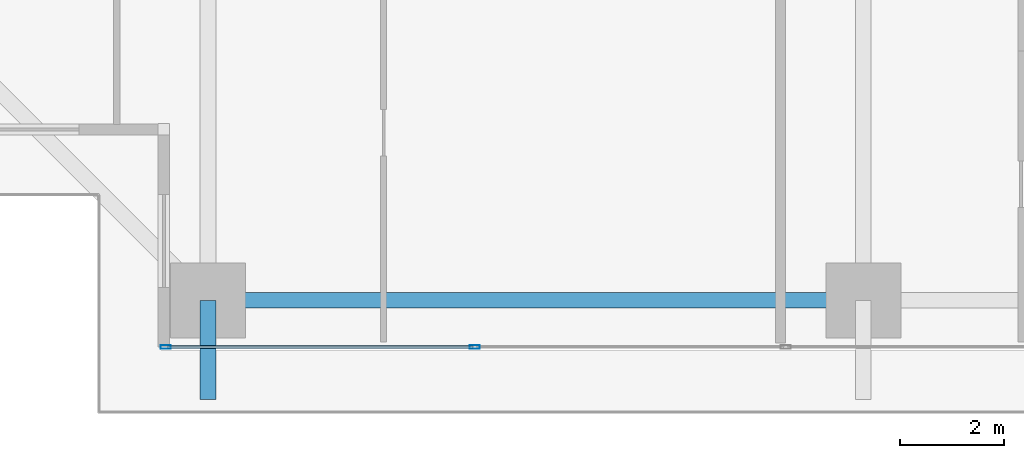
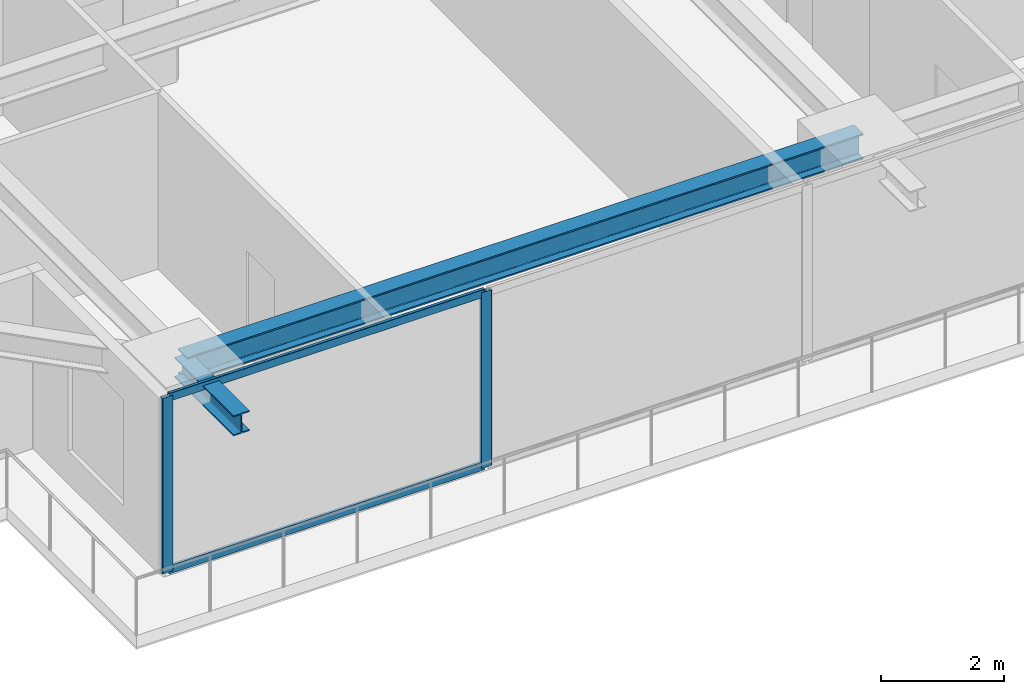
# One storey, part 2 of 38: 4 members, 2 beams, 1 element without a shape of its own.
"""IFC4 building model written with IfcOpenShell, lengths in metres."""

from ifc_helpers import new_model, si_unit, direction, frame, origin, origin_2d, place, context, subcontext, project, spatial, hollow_rectangle, i_section, extrude, source, transform, mapped, material, layer, layer_set, material_profile, profile_set, type_object, element, aggregate, save


model = new_model("IFC4")

# Units and contexts
model_context = context("Model", 3, precision=1e-05, world=origin(), true_north=direction((0.0, 1.0)))
body_context = subcontext(model_context, "Body", "Model", "MODEL_VIEW")
ifc_project = project(units=[si_unit("LENGTHUNIT", "METRE"), si_unit("AREAUNIT", "SQUARE_METRE"), si_unit("VOLUMEUNIT", "CUBIC_METRE"), si_unit("PLANEANGLEUNIT", "RADIAN"), si_unit("MASSUNIT", "GRAM", prefix="KILO")], contexts=[model_context])

# Site, building, storey
site_placement = place(None, origin())
site = spatial("IfcSite", under=ifc_project, at=site_placement, CompositionType="ELEMENT")
building_placement = place(site_placement, origin())
building = spatial("IfcBuilding", under=site, at=building_placement, Name="Serunith Strait Residences", CompositionType="ELEMENT")
storey_placement = place(building_placement, frame((0.0, 0.0, 30.449951171875)))
storey = spatial("IfcBuildingStorey", under=building, at=storey_placement, Name="L06", CompositionType="ELEMENT", Elevation=30.449951171875)

# Beams
ifc_material_1 = material(Name="Steel S355J2", Category="steel")
ifc_material_profile_1 = material_profile(ifc_material_1, i_section(OverallWidth=0.300048828125, OverallDepth=0.5, WebThickness=0.014404296875, FlangeThickness=0.028076171875, FilletRadius=0.027099609375, at=origin_2d()), Name="HEB 500")
ifc_profile_set_1 = profile_set([ifc_material_profile_1], Name="Steel S355J2")
beam_type_1 = type_object("IfcBeamType", Name="BM-HEB500", PredefinedType="BEAM", material=ifc_profile_set_1)
shared_shape_1 = source(origin(), body_context, "Body", "SweptSolid", [
    extrude(i_section(OverallWidth=0.300048828125, OverallDepth=0.5, WebThickness=0.014404296875, FlangeThickness=0.028076171875, FilletRadius=0.027099609375, at=origin_2d()), origin(), (0.0, 0.0, 1.0), 12.64990234375),
])
beam_1_placement = place(storey_placement, frame((15.25, 1.10009765625, 3.237060546875), z_axis=(1.0, 0.0, 0.0), x_axis=(0.0, 1.0, 0.0)))
element("IfcBeam", 1, at=beam_1_placement, inside=storey, type_object=beam_type_1, Name="L06 Perimeter Ring Beam 01", PredefinedType="BEAM", context=body_context, shape_type="MappedRepresentation", body=[
    mapped(shared_shape_1, transform((0.0, 0.0, 0.0), scale=1.0)),
])
ifc_material_profile_2 = material_profile(ifc_material_1, i_section(OverallWidth=0.300048828125, OverallDepth=0.39990234375, WebThickness=0.013427734375, FlangeThickness=0.02392578125, FilletRadius=0.027099609375, at=origin_2d()), Name="HEB 400")
ifc_profile_set_2 = profile_set([ifc_material_profile_2], Name="Steel S355J2")
beam_type_2 = type_object("IfcBeamType", Name="BM-HEB400", PredefinedType="BEAM", material=ifc_profile_set_2)
shared_shape_2 = source(origin(), body_context, "Body", "SweptSolid", [
    extrude(i_section(OverallWidth=0.300048828125, OverallDepth=0.39990234375, WebThickness=0.013427734375, FlangeThickness=0.02392578125, FilletRadius=0.027099609375, at=origin_2d()), origin(), (0.0, 0.0, 1.0), 1.91015625),
])
beam_2_placement = place(storey_placement, frame((15.25, 1.10009765625, 3.257080078125), z_axis=(0.0, -1.0, 0.0), x_axis=(1.0, 0.0, 0.0)))
element("IfcBeam", 2, at=beam_2_placement, inside=storey, type_object=beam_type_2, Name="L07 Cantilevered Balcony Rib TC-S1", PredefinedType="BEAM", context=body_context, shape_type="MappedRepresentation", body=[
    mapped(shared_shape_2, transform((0.0, 0.0, 0.0), scale=1.0)),
])

# Curtain wall, members
ifc_material_2 = material(Name="Pale-Champagne Anodised Aluminium", Category="aluminium")
ifc_layer = layer(ifc_material_2, 0.199951171875, Name="Pale-Champagne Anodised Aluminium")
ifc_layer_set = layer_set([ifc_layer], Name="Pale-Champagne Anodised Aluminium")
curtain_wall_type = type_object("IfcCurtainWallType", Name="CW-SYS1", PredefinedType="NOTDEFINED", material=ifc_layer_set)
curtain_wall_placement = place(storey_placement, origin())
curtain_wall = element("IfcCurtainWall", 3, at=curtain_wall_placement, inside=storey, type_object=curtain_wall_type, Name="L06 S Unitised Fritted Curtain Wall", PredefinedType="NOTDEFINED")
ifc_material_profile_3 = material_profile(ifc_material_2, hollow_rectangle(XDim=0.070068359375, YDim=0.199951171875, WallThickness=0.00390625, InnerFilletRadius=0.006103515625, OuterFilletRadius=0.010009765625, at=origin_2d()), Name="ALU 200x70x4")
ifc_profile_set_3 = profile_set([ifc_material_profile_3], Name="Pale-Champagne Anodised Aluminium")
member_type_1 = type_object("IfcMemberType", Name="CW-SYS1-MULL", PredefinedType="MULLION", material=ifc_profile_set_3)
shared_shape_3 = source(origin(), body_context, "Body", "SweptSolid", [
    extrude(hollow_rectangle(XDim=0.070068359375, YDim=0.199951171875, WallThickness=0.00390625, InnerFilletRadius=0.006103515625, OuterFilletRadius=0.010009765625, at=origin_2d()), origin(), (0.0, 0.0, 1.0), 3.47509765625),
])
member_1_placement = place(storey_placement, frame((14.43505859375, 0.199951171875, 0.0), z_axis=(0.0, 0.0, 1.0), x_axis=(0.0, 1.0, 0.0)))
member_1 = element("IfcMember", 4, at=member_1_placement, type_object=member_type_1, Name="CW-1 mullion 1", PredefinedType="MULLION", context=body_context, shape_type="MappedRepresentation", body=[
    mapped(shared_shape_3, transform((0.0, 0.0, 0.0), scale=1.0)),
])
member_2_placement = place(storey_placement, frame((20.39990234375, 0.199951171875, 0.0), z_axis=(0.0, 0.0, 1.0), x_axis=(0.0, 1.0, 0.0)))
member_2 = element("IfcMember", 5, at=member_2_placement, type_object=member_type_1, Name="CW-1 mullion 2", PredefinedType="MULLION", context=body_context, shape_type="MappedRepresentation", body=[
    mapped(shared_shape_3, transform((0.0, 0.0, 0.0), scale=1.0)),
])
ifc_material_profile_4 = material_profile(ifc_material_2, hollow_rectangle(XDim=0.06005859375, YDim=0.159912109375, WallThickness=0.00341796875, InnerFilletRadius=0.00537109375, OuterFilletRadius=0.0087890625, at=origin_2d()), Name="ALU 160x60x3.5")
ifc_profile_set_4 = profile_set([ifc_material_profile_4], Name="Pale-Champagne Anodised Aluminium")
member_type_2 = type_object("IfcMemberType", Name="CW-SYS1-TRAN", PredefinedType="USERDEFINED", material=ifc_profile_set_4)
shared_shape_4 = source(origin(), body_context, "Body", "SweptSolid", [
    extrude(hollow_rectangle(XDim=0.06005859375, YDim=0.159912109375, WallThickness=0.00341796875, InnerFilletRadius=0.00537109375, OuterFilletRadius=0.0087890625, at=origin_2d()), origin(), (0.0, 0.0, 1.0), 5.89501953125),
])
member_3_placement = place(storey_placement, frame((14.469970703125, 0.199951171875, 0.030029296875), z_axis=(1.0, 0.0, 0.0), x_axis=(0.0, 1.0, 0.0)))
member_3 = element("IfcMember", 6, at=member_3_placement, type_object=member_type_2, Name="CW-1 transom 1.1", ObjectType="TRANSOM", PredefinedType="USERDEFINED", context=body_context, shape_type="MappedRepresentation", body=[
    mapped(shared_shape_4, transform((0.0, 0.0, 0.0), scale=1.0)),
])
member_4_placement = place(storey_placement, frame((14.469970703125, 0.199951171875, 3.445068359375), z_axis=(1.0, 0.0, 0.0), x_axis=(0.0, 1.0, 0.0)))
member_4 = element("IfcMember", 7, at=member_4_placement, type_object=member_type_2, Name="CW-1 transom 1.2", ObjectType="TRANSOM", PredefinedType="USERDEFINED", context=body_context, shape_type="MappedRepresentation", body=[
    mapped(shared_shape_4, transform((0.0, 0.0, 0.0), scale=1.0)),
])
aggregate(curtain_wall, [member_1, member_2, member_3, member_4])

save(model, "model.ifc")
